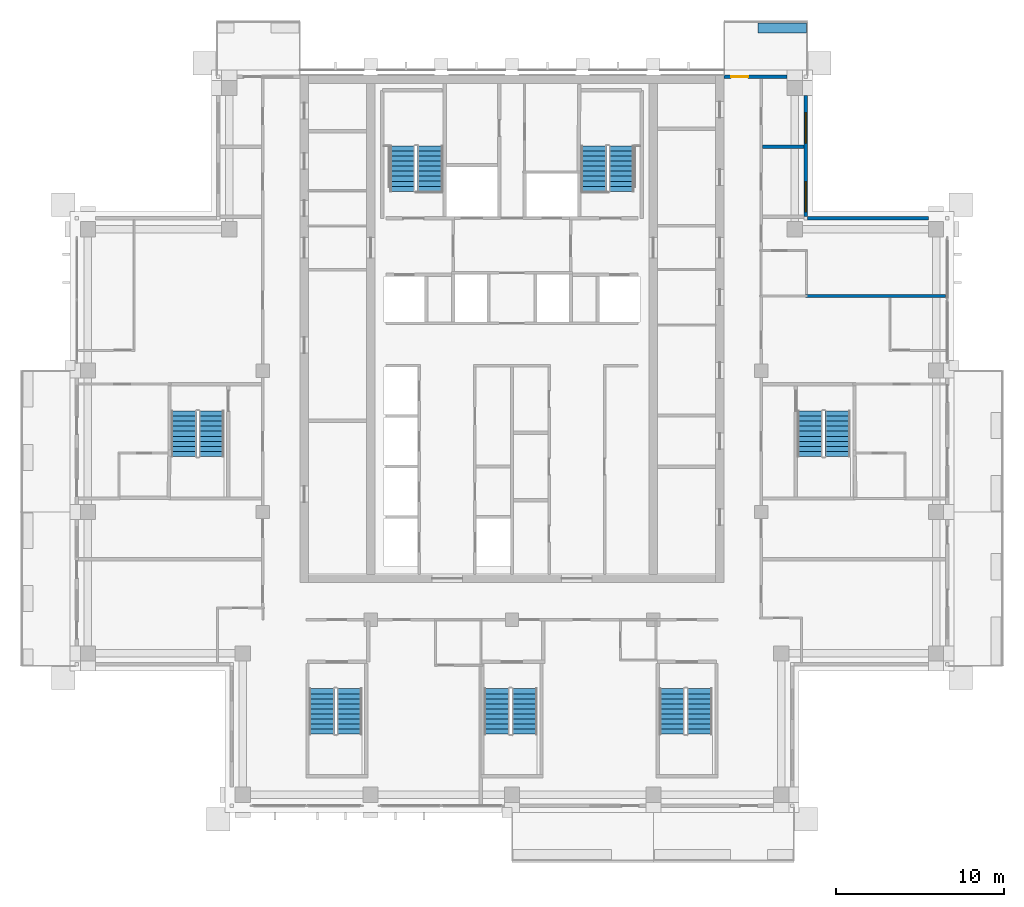
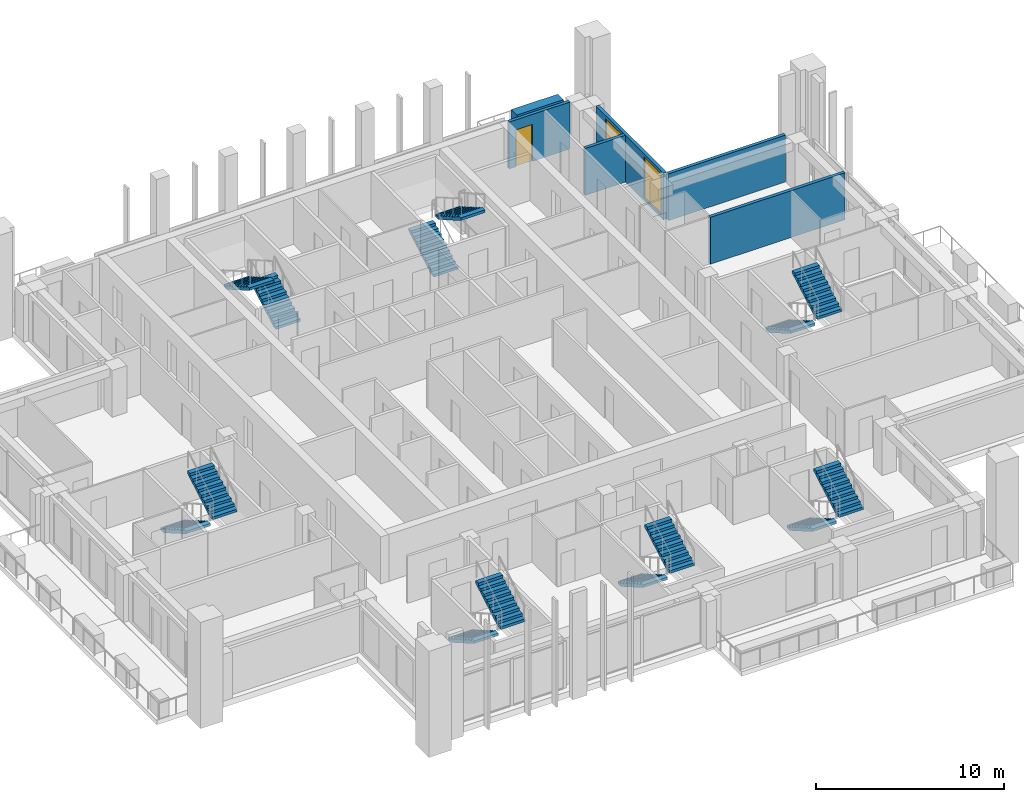
# One storey, part 14 of 18: 14 stair flights, 6 walls, 2 windows, 1 door, 3 openings, 7 elements without a shape of their own.
"""IFC4 building model written with IfcOpenShell, lengths in metres."""

from ifc_helpers import new_model, si_unit, direction, frame, frame_2d, origin, place, context, subcontext, project, spatial, polyline, rectangle, outline, extrude, material, layer, layer_set, type_object, element, fill, aggregate, save


model = new_model("IFC4")

# Units and contexts
model_context = context("Model", 3, precision=1e-05, world=origin(), true_north=direction((0.0, 1.0)))
body_context = subcontext(model_context, "Body", "Model", "MODEL_VIEW")
ifc_project = project(units=[si_unit("LENGTHUNIT", "METRE"), si_unit("AREAUNIT", "SQUARE_METRE"), si_unit("VOLUMEUNIT", "CUBIC_METRE"), si_unit("PLANEANGLEUNIT", "RADIAN"), si_unit("MASSUNIT", "GRAM", prefix="KILO")], contexts=[model_context])

# Site, building, storey
site_placement = place(None, origin())
site = spatial("IfcSite", under=ifc_project, at=site_placement, CompositionType="ELEMENT")
building_placement = place(site_placement, origin())
building = spatial("IfcBuilding", under=site, at=building_placement, Name="Vermilion Ogive Tower", CompositionType="ELEMENT")
storey_placement = place(building_placement, frame((0.0, 0.0, 240.699951171875)))
storey = spatial("IfcBuildingStorey", under=building, at=storey_placement, Name="L63", CompositionType="ELEMENT", Elevation=240.699951171875)

# Walls
ifc_material_1 = material(Name="Gypsum board partition on steel studs", Category="steel")
ifc_layer_1 = layer(ifc_material_1, 0.199951171875)
ifc_layer_set_1 = layer_set([ifc_layer_1], Name="Partition 200 party")
wall_type_1 = type_object("IfcWallType", Name="Partition 200 party", PredefinedType="PARTITIONING", material=ifc_layer_set_1)
wall_1_placement = place(storey_placement, frame((17.449951171875, 8.6298828125, 0.0), z_axis=(0.0, 0.0, 1.0), x_axis=(1.0, 0.0, 0.0)))
element("IfcWall", 1, at=wall_1_placement, inside=storey, type_object=wall_type_1, Name="L63-W-W031", PredefinedType="PARTITIONING", context=body_context, shape_type="SweptSolid", body=[
    extrude(rectangle(XDim=8.300048828125, YDim=0.199951171875, at=frame_2d((4.14990234375, 0.0))), origin(), (0.0, 0.0, 1.0), 3.050048828125),
])
wall_2_placement = place(storey_placement, frame((14.875, 17.5, 0.0), z_axis=(0.0, 0.0, 1.0), x_axis=(1.0, 0.0, 0.0)))
element("IfcWall", 2, at=wall_2_placement, inside=storey, type_object=wall_type_1, Name="L63-W-W036", PredefinedType="PARTITIONING", context=body_context, shape_type="SweptSolid", body=[
    extrude(rectangle(XDim=2.47509765625, YDim=0.199951171875, at=frame_2d((1.237548828125, 0.0))), origin(), (0.0, 0.0, 1.0), 3.050048828125),
])
ifc_material_2 = material(Name="Concrete B40", Category="concrete")
ifc_layer_2 = layer(ifc_material_2, 0.60009765625)
ifc_layer_set_2 = layer_set([ifc_layer_2], Name="Structural planter")
wall_type_2 = type_object("IfcWallType", Name="Structural planter", PredefinedType="USERDEFINED", material=ifc_layer_set_2)
wall_3_placement = place(storey_placement, frame((17.489990234375, 24.550048828125, -0.0400390625), z_axis=(0.0, 0.0, 1.0), x_axis=(-1.0, 0.0, 0.0)))
element("IfcWall", 3, at=wall_3_placement, inside=storey, type_object=wall_type_2, Name="Planter N101A1", ObjectType="PLANTER", PredefinedType="USERDEFINED", context=body_context, shape_type="SweptSolid", body=[
    extrude(rectangle(XDim=2.864990234375, YDim=0.60009765625, at=frame_2d((1.4326171875, 0.0))), origin(), (0.0, 0.0, 1.0), 1.2001953125),
])
ifc_material_3 = material(Name="Aluminium window wall framing", Category="aluminium")
ifc_layer_3 = layer(ifc_material_3, 0.199951171875)
ifc_layer_set_3 = layer_set([ifc_layer_3], Name="Window wall")
wall_type_3 = type_object("IfcWallType", Name="Window wall", PredefinedType="STANDARD", material=ifc_layer_set_3)
wall_4_placement = place(storey_placement, frame((24.75, 13.25, 0.0), z_axis=(0.0, 0.0, 1.0), x_axis=(-1.0, 0.0, 0.0)))
element("IfcWall", 4, at=wall_4_placement, inside=storey, type_object=wall_type_3, Name="Window wall X31", PredefinedType="STANDARD", context=body_context, shape_type="SweptSolid", body=[
    extrude(rectangle(XDim=7.199951171875, YDim=0.199951171875, at=frame_2d((3.60009765625, 0.0))), origin(), (0.0, 0.0, 1.0), 3.050048828125),
])

# Wall, openings, windows
wall_5_placement = place(storey_placement, frame((17.449951171875, 13.35009765625, 0.0), z_axis=(0.0, 0.0, 1.0), x_axis=(0.0, 1.0, 0.0)))
wall_5 = element("IfcWall", 5, at=wall_5_placement, inside=storey, type_object=wall_type_3, Name="Window wall X41", PredefinedType="STANDARD", context=body_context, shape_type="SweptSolid", body=[
    extrude(rectangle(XDim=7.199951171875, YDim=0.199951171875, at=frame_2d((3.60009765625, 0.0))), origin(), (0.0, 0.0, 1.0), 3.050048828125),
])
opening_1_placement = place(wall_5_placement, frame((0.27490234375, 0.0, 0.199951171875)))
opening_1 = element("IfcOpeningElement", 6, at=opening_1_placement, cuts=wall_5, Name="Opening W1-X403", PredefinedType="OPENING", context=body_context, shape_type="SweptSolid", body=[
    extrude(rectangle(XDim=1.800048828125, YDim=2.64990234375, at=frame_2d((0.89990234375, 1.324951171875))), frame((0.0, 0.10986328125, 0.0), z_axis=(0.0, -1.0, 0.0), x_axis=(1.0, 0.0, 0.0)), (0.0, 0.0, 1.0), 0.219970703125),
])
opening_2_placement = place(wall_5_placement, frame((4.3701171875, 0.0, 0.199951171875)))
opening_2 = element("IfcOpeningElement", 7, at=opening_2_placement, cuts=wall_5, Name="Opening W1-X404", PredefinedType="OPENING", context=body_context, shape_type="SweptSolid", body=[
    extrude(rectangle(XDim=1.800048828125, YDim=2.64990234375, at=frame_2d((0.89990234375, 1.324951171875))), frame((0.0, 0.10986328125, 0.0), z_axis=(0.0, -1.0, 0.0), x_axis=(1.0, 0.0, 0.0)), (0.0, 0.0, 1.0), 0.219970703125),
])
ifc_material_4 = material(Name="Aluminium framed double glazing", Category="aluminium")
window_type = type_object("IfcWindowType", Name="Guest window W1", PartitioningType="SINGLE_PANEL", PredefinedType="WINDOW", material=ifc_material_4)
window_1_placement = place(opening_1_placement, origin())
window_1 = element("IfcWindow", 8, at=window_1_placement, inside=storey, type_object=window_type, Name="Window X403", OverallHeight=2.64990234375, OverallWidth=1.800048828125, PartitioningType="SINGLE_PANEL", PredefinedType="WINDOW", context=body_context, shape_type="SweptSolid", body=[
    extrude(rectangle(XDim=1.800048828125, YDim=2.64990234375, at=frame_2d((0.89990234375, 1.324951171875))), frame((0.0, 0.030029296875, 0.0), z_axis=(0.0, -1.0, 0.0), x_axis=(1.0, 0.0, 0.0)), (0.0, 0.0, 1.0), 0.06005859375),
])
fill(opening_1, window_1)
window_2_placement = place(opening_2_placement, origin())
window_2 = element("IfcWindow", 9, at=window_2_placement, inside=storey, type_object=window_type, Name="Window X404", OverallHeight=2.64990234375, OverallWidth=1.800048828125, PartitioningType="SINGLE_PANEL", PredefinedType="WINDOW", context=body_context, shape_type="SweptSolid", body=[
    extrude(rectangle(XDim=1.800048828125, YDim=2.64990234375, at=frame_2d((0.89990234375, 1.324951171875))), frame((0.0, 0.030029296875, 0.0), z_axis=(0.0, -1.0, 0.0), x_axis=(1.0, 0.0, 0.0)), (0.0, 0.0, 1.0), 0.06005859375),
])
fill(opening_2, window_2)

# Wall, opening, door
wall_6_placement = place(storey_placement, frame((16.35009765625, 21.64990234375, 0.0), z_axis=(0.0, 0.0, 1.0), x_axis=(-1.0, 0.0, 0.0)))
wall_6 = element("IfcWall", 10, at=wall_6_placement, inside=storey, type_object=wall_type_3, Name="Window wall N11", PredefinedType="STANDARD", context=body_context, shape_type="SweptSolid", body=[
    extrude(rectangle(XDim=3.75, YDim=0.199951171875, at=frame_2d((1.875, 0.0))), origin(), (0.0, 0.0, 1.0), 3.050048828125),
])
opening_3_placement = place(wall_6_placement, frame((2.324951171875, 0.0, 0.0)))
opening_3 = element("IfcOpeningElement", 11, at=opening_3_placement, cuts=wall_6, Name="Opening D1-N103", PredefinedType="OPENING", context=body_context, shape_type="SweptSolid", body=[
    extrude(rectangle(XDim=1.0, YDim=2.39990234375, at=frame_2d((0.5, 1.199951171875))), frame((0.0, 0.10986328125, 0.0), z_axis=(0.0, -1.0, 0.0), x_axis=(1.0, 0.0, 0.0)), (0.0, 0.0, 1.0), 0.219970703125),
])
ifc_material_5 = material(Name="Aluminium framed glazed door", Category="aluminium")
door_type = type_object("IfcDoorType", Name="Balcony door D1", OperationType="SINGLE_SWING_LEFT", PredefinedType="DOOR", material=ifc_material_5)
door_placement = place(opening_3_placement, origin())
door = element("IfcDoor", 12, at=door_placement, inside=storey, type_object=door_type, Name="Balcony door N103", OperationType="SINGLE_SWING_LEFT", OverallHeight=2.39990234375, OverallWidth=1.0, PredefinedType="DOOR", context=body_context, shape_type="SweptSolid", body=[
    extrude(rectangle(XDim=1.0, YDim=2.39990234375, at=frame_2d((0.5, 1.199951171875))), frame((0.0, 0.02490234375, 0.0), z_axis=(0.0, -1.0, 0.0), x_axis=(1.0, 0.0, 0.0)), (0.0, 0.0, 1.0), 0.050048828125),
])
fill(opening_3, door)

# Stair, stair flights
ifc_material_6 = material(Name="Concrete B40", Category="concrete")
stair_type = type_object("IfcStairType", Name="Exit stair 1500", PredefinedType="HALF_TURN_STAIR", material=ifc_material_6)
stair_1_placement = place(storey_placement, origin())
stair_1 = element("IfcStair", 13, at=stair_1_placement, inside=storey, type_object=stair_type, Name="L63 Exit Stair ST1", PredefinedType="HALF_TURN_STAIR")
ifc_material_7 = material(Name="Concrete B40", Category="concrete")
stair_flight_type = type_object("IfcStairFlightType", Name="Stair flight 1500", PredefinedType="STRAIGHT", material=ifc_material_7)
stair_flight_1_placement = place(storey_placement, frame((-4.85009765625, 14.85009765625, 0.0), z_axis=(0.0, 0.0, 1.0), x_axis=(0.0, 1.0, 0.0)))
stair_flight_1 = element("IfcStairFlight", 14, at=stair_flight_1_placement, type_object=stair_flight_type, Name="ST1 flight 1", NumberOfRisers=10, NumberOfTreads=9, PredefinedType="STRAIGHT", RiserHeight=0.1725, TreadLength=0.3, context=body_context, shape_type="SweptSolid", body=[
    extrude(outline(polyline([(0.0, 0.0), (0.0, 0.172607421875), (0.300048828125, 0.172607421875), (0.300048828125, 0.344970703125), (0.60009765625, 0.344970703125), (0.60009765625, 0.517578125), (0.89990234375, 0.517578125), (0.89990234375, 0.68994140625), (1.199951171875, 0.68994140625), (1.199951171875, 0.862548828125), (1.5, 0.862548828125), (1.5, 1.034912109375), (1.800048828125, 1.034912109375), (1.800048828125, 1.20751953125), (2.10009765625, 1.20751953125), (2.10009765625, 1.3798828125), (2.39990234375, 1.3798828125), (2.39990234375, 1.552490234375), (2.699951171875, 1.552490234375), (2.699951171875, 1.72509765625), (2.699951171875, 1.379638671875), (0.30078125, 0.0), (0.0, 0.0)])), frame((0.0, 0.75, 0.0), z_axis=(0.0, -1.0, 0.0), x_axis=(1.0, 0.0, 0.0)), (0.0, 0.0, 1.0), 1.5),
])
stair_flight_2_placement = place(storey_placement, frame((-6.5, 17.550048828125, 1.72509765625), z_axis=(0.0, 0.0, 1.0), x_axis=(0.0, -1.0, 0.0)))
stair_flight_2 = element("IfcStairFlight", 15, at=stair_flight_2_placement, type_object=stair_flight_type, Name="ST1 flight 2", NumberOfRisers=10, NumberOfTreads=9, PredefinedType="STRAIGHT", RiserHeight=0.1725, TreadLength=0.3, context=body_context, shape_type="SweptSolid", body=[
    extrude(outline(polyline([(0.0, 0.0), (0.0, 0.172607421875), (0.300048828125, 0.172607421875), (0.300048828125, 0.344970703125), (0.60009765625, 0.344970703125), (0.60009765625, 0.517578125), (0.89990234375, 0.517578125), (0.89990234375, 0.68994140625), (1.199951171875, 0.68994140625), (1.199951171875, 0.862548828125), (1.5, 0.862548828125), (1.5, 1.034912109375), (1.800048828125, 1.034912109375), (1.800048828125, 1.20751953125), (2.10009765625, 1.20751953125), (2.10009765625, 1.3798828125), (2.39990234375, 1.3798828125), (2.39990234375, 1.552490234375), (2.699951171875, 1.552490234375), (2.699951171875, 1.72509765625), (2.699951171875, 1.379638671875), (0.30078125, 0.0), (0.0, 0.0)])), frame((0.0, 0.75, 0.0), z_axis=(0.0, -1.0, 0.0), x_axis=(1.0, 0.0, 0.0)), (0.0, 0.0, 1.0), 1.5),
])
aggregate(stair_1, [stair_flight_1, stair_flight_2])

stair_2_placement = place(storey_placement, origin())
stair_2 = element("IfcStair", 16, at=stair_2_placement, inside=storey, type_object=stair_type, Name="L63 Exit Stair ST2", PredefinedType="HALF_TURN_STAIR")
stair_flight_3_placement = place(storey_placement, frame((4.85009765625, 14.85009765625, 0.0), z_axis=(0.0, 0.0, 1.0), x_axis=(0.0, 1.0, 0.0)))
stair_flight_3 = element("IfcStairFlight", 17, at=stair_flight_3_placement, type_object=stair_flight_type, Name="ST2 flight 1", NumberOfRisers=10, NumberOfTreads=9, PredefinedType="STRAIGHT", RiserHeight=0.1725, TreadLength=0.3, context=body_context, shape_type="SweptSolid", body=[
    extrude(outline(polyline([(0.0, 0.0), (0.0, 0.172607421875), (0.300048828125, 0.172607421875), (0.300048828125, 0.344970703125), (0.60009765625, 0.344970703125), (0.60009765625, 0.517578125), (0.89990234375, 0.517578125), (0.89990234375, 0.68994140625), (1.199951171875, 0.68994140625), (1.199951171875, 0.862548828125), (1.5, 0.862548828125), (1.5, 1.034912109375), (1.800048828125, 1.034912109375), (1.800048828125, 1.20751953125), (2.10009765625, 1.20751953125), (2.10009765625, 1.3798828125), (2.39990234375, 1.3798828125), (2.39990234375, 1.552490234375), (2.699951171875, 1.552490234375), (2.699951171875, 1.72509765625), (2.699951171875, 1.379638671875), (0.30078125, 0.0), (0.0, 0.0)])), frame((0.0, 0.75, 0.0), z_axis=(0.0, -1.0, 0.0), x_axis=(1.0, 0.0, 0.0)), (0.0, 0.0, 1.0), 1.5),
])
stair_flight_4_placement = place(storey_placement, frame((6.5, 17.550048828125, 1.72509765625), z_axis=(0.0, 0.0, 1.0), x_axis=(0.0, -1.0, 0.0)))
stair_flight_4 = element("IfcStairFlight", 18, at=stair_flight_4_placement, type_object=stair_flight_type, Name="ST2 flight 2", NumberOfRisers=10, NumberOfTreads=9, PredefinedType="STRAIGHT", RiserHeight=0.1725, TreadLength=0.3, context=body_context, shape_type="SweptSolid", body=[
    extrude(outline(polyline([(0.0, 0.0), (0.0, 0.172607421875), (0.300048828125, 0.172607421875), (0.300048828125, 0.344970703125), (0.60009765625, 0.344970703125), (0.60009765625, 0.517578125), (0.89990234375, 0.517578125), (0.89990234375, 0.68994140625), (1.199951171875, 0.68994140625), (1.199951171875, 0.862548828125), (1.5, 0.862548828125), (1.5, 1.034912109375), (1.800048828125, 1.034912109375), (1.800048828125, 1.20751953125), (2.10009765625, 1.20751953125), (2.10009765625, 1.3798828125), (2.39990234375, 1.3798828125), (2.39990234375, 1.552490234375), (2.699951171875, 1.552490234375), (2.699951171875, 1.72509765625), (2.699951171875, 1.379638671875), (0.30078125, 0.0), (0.0, 0.0)])), frame((0.0, 0.75, 0.0), z_axis=(0.0, -1.0, 0.0), x_axis=(1.0, 0.0, 0.0)), (0.0, 0.0, 1.0), 1.5),
])
aggregate(stair_2, [stair_flight_3, stair_flight_4])

stair_3_placement = place(storey_placement, origin())
stair_3 = element("IfcStair", 19, at=stair_3_placement, inside=storey, type_object=stair_type, Name="L63 Exit Stair ST3", PredefinedType="HALF_TURN_STAIR")
stair_flight_5_placement = place(storey_placement, frame((-11.300048828125, -14.699951171875, 0.0), z_axis=(0.0, 0.0, 1.0), x_axis=(0.0, -1.0, 0.0)))
stair_flight_5 = element("IfcStairFlight", 20, at=stair_flight_5_placement, type_object=stair_flight_type, Name="ST3 flight 1", NumberOfRisers=10, NumberOfTreads=9, PredefinedType="STRAIGHT", RiserHeight=0.1725, TreadLength=0.3, context=body_context, shape_type="SweptSolid", body=[
    extrude(outline(polyline([(0.0, 0.0), (0.0, 0.172607421875), (0.300048828125, 0.172607421875), (0.300048828125, 0.344970703125), (0.60009765625, 0.344970703125), (0.60009765625, 0.517578125), (0.89990234375, 0.517578125), (0.89990234375, 0.68994140625), (1.199951171875, 0.68994140625), (1.199951171875, 0.862548828125), (1.5, 0.862548828125), (1.5, 1.034912109375), (1.800048828125, 1.034912109375), (1.800048828125, 1.20751953125), (2.10009765625, 1.20751953125), (2.10009765625, 1.3798828125), (2.39990234375, 1.3798828125), (2.39990234375, 1.552490234375), (2.699951171875, 1.552490234375), (2.699951171875, 1.72509765625), (2.699951171875, 1.379638671875), (0.30078125, 0.0), (0.0, 0.0)])), frame((0.0, 0.75, 0.0), z_axis=(0.0, -1.0, 0.0), x_axis=(1.0, 0.0, 0.0)), (0.0, 0.0, 1.0), 1.5),
])
stair_flight_6_placement = place(storey_placement, frame((-9.64990234375, -17.39990234375, 1.72509765625), z_axis=(0.0, 0.0, 1.0), x_axis=(0.0, 1.0, 0.0)))
stair_flight_6 = element("IfcStairFlight", 21, at=stair_flight_6_placement, type_object=stair_flight_type, Name="ST3 flight 2", NumberOfRisers=10, NumberOfTreads=9, PredefinedType="STRAIGHT", RiserHeight=0.1725, TreadLength=0.3, context=body_context, shape_type="SweptSolid", body=[
    extrude(outline(polyline([(0.0, 0.0), (0.0, 0.172607421875), (0.300048828125, 0.172607421875), (0.300048828125, 0.344970703125), (0.60009765625, 0.344970703125), (0.60009765625, 0.517578125), (0.89990234375, 0.517578125), (0.89990234375, 0.68994140625), (1.199951171875, 0.68994140625), (1.199951171875, 0.862548828125), (1.5, 0.862548828125), (1.5, 1.034912109375), (1.800048828125, 1.034912109375), (1.800048828125, 1.20751953125), (2.10009765625, 1.20751953125), (2.10009765625, 1.3798828125), (2.39990234375, 1.3798828125), (2.39990234375, 1.552490234375), (2.699951171875, 1.552490234375), (2.699951171875, 1.72509765625), (2.699951171875, 1.379638671875), (0.30078125, 0.0), (0.0, 0.0)])), frame((0.0, 0.75, 0.0), z_axis=(0.0, -1.0, 0.0), x_axis=(1.0, 0.0, 0.0)), (0.0, 0.0, 1.0), 1.5),
])
aggregate(stair_3, [stair_flight_5, stair_flight_6])

stair_4_placement = place(storey_placement, origin())
stair_4 = element("IfcStair", 22, at=stair_4_placement, inside=storey, type_object=stair_type, Name="L63 Exit Stair ST4", PredefinedType="HALF_TURN_STAIR")
stair_flight_7_placement = place(storey_placement, frame((-0.89990234375, -14.699951171875, 0.0), z_axis=(0.0, 0.0, 1.0), x_axis=(0.0, -1.0, 0.0)))
stair_flight_7 = element("IfcStairFlight", 23, at=stair_flight_7_placement, type_object=stair_flight_type, Name="ST4 flight 1", NumberOfRisers=10, NumberOfTreads=9, PredefinedType="STRAIGHT", RiserHeight=0.1725, TreadLength=0.3, context=body_context, shape_type="SweptSolid", body=[
    extrude(outline(polyline([(0.0, 0.0), (0.0, 0.172607421875), (0.300048828125, 0.172607421875), (0.300048828125, 0.344970703125), (0.60009765625, 0.344970703125), (0.60009765625, 0.517578125), (0.89990234375, 0.517578125), (0.89990234375, 0.68994140625), (1.199951171875, 0.68994140625), (1.199951171875, 0.862548828125), (1.5, 0.862548828125), (1.5, 1.034912109375), (1.800048828125, 1.034912109375), (1.800048828125, 1.20751953125), (2.10009765625, 1.20751953125), (2.10009765625, 1.3798828125), (2.39990234375, 1.3798828125), (2.39990234375, 1.552490234375), (2.699951171875, 1.552490234375), (2.699951171875, 1.72509765625), (2.699951171875, 1.379638671875), (0.30078125, 0.0), (0.0, 0.0)])), frame((0.0, 0.75, 0.0), z_axis=(0.0, -1.0, 0.0), x_axis=(1.0, 0.0, 0.0)), (0.0, 0.0, 1.0), 1.5),
])
stair_flight_8_placement = place(storey_placement, frame((0.75, -17.39990234375, 1.72509765625), z_axis=(0.0, 0.0, 1.0), x_axis=(0.0, 1.0, 0.0)))
stair_flight_8 = element("IfcStairFlight", 24, at=stair_flight_8_placement, type_object=stair_flight_type, Name="ST4 flight 2", NumberOfRisers=10, NumberOfTreads=9, PredefinedType="STRAIGHT", RiserHeight=0.1725, TreadLength=0.3, context=body_context, shape_type="SweptSolid", body=[
    extrude(outline(polyline([(0.0, 0.0), (0.0, 0.172607421875), (0.300048828125, 0.172607421875), (0.300048828125, 0.344970703125), (0.60009765625, 0.344970703125), (0.60009765625, 0.517578125), (0.89990234375, 0.517578125), (0.89990234375, 0.68994140625), (1.199951171875, 0.68994140625), (1.199951171875, 0.862548828125), (1.5, 0.862548828125), (1.5, 1.034912109375), (1.800048828125, 1.034912109375), (1.800048828125, 1.20751953125), (2.10009765625, 1.20751953125), (2.10009765625, 1.3798828125), (2.39990234375, 1.3798828125), (2.39990234375, 1.552490234375), (2.699951171875, 1.552490234375), (2.699951171875, 1.72509765625), (2.699951171875, 1.379638671875), (0.30078125, 0.0), (0.0, 0.0)])), frame((0.0, 0.75, 0.0), z_axis=(0.0, -1.0, 0.0), x_axis=(1.0, 0.0, 0.0)), (0.0, 0.0, 1.0), 1.5),
])
aggregate(stair_4, [stair_flight_7, stair_flight_8])

stair_5_placement = place(storey_placement, origin())
stair_5 = element("IfcStair", 25, at=stair_5_placement, inside=storey, type_object=stair_type, Name="L63 Exit Stair ST5", PredefinedType="HALF_TURN_STAIR")
stair_flight_9_placement = place(storey_placement, frame((9.5, -14.699951171875, 0.0), z_axis=(0.0, 0.0, 1.0), x_axis=(0.0, -1.0, 0.0)))
stair_flight_9 = element("IfcStairFlight", 26, at=stair_flight_9_placement, type_object=stair_flight_type, Name="ST5 flight 1", NumberOfRisers=10, NumberOfTreads=9, PredefinedType="STRAIGHT", RiserHeight=0.1725, TreadLength=0.3, context=body_context, shape_type="SweptSolid", body=[
    extrude(outline(polyline([(0.0, 0.0), (0.0, 0.172607421875), (0.300048828125, 0.172607421875), (0.300048828125, 0.344970703125), (0.60009765625, 0.344970703125), (0.60009765625, 0.517578125), (0.89990234375, 0.517578125), (0.89990234375, 0.68994140625), (1.199951171875, 0.68994140625), (1.199951171875, 0.862548828125), (1.5, 0.862548828125), (1.5, 1.034912109375), (1.800048828125, 1.034912109375), (1.800048828125, 1.20751953125), (2.10009765625, 1.20751953125), (2.10009765625, 1.3798828125), (2.39990234375, 1.3798828125), (2.39990234375, 1.552490234375), (2.699951171875, 1.552490234375), (2.699951171875, 1.72509765625), (2.699951171875, 1.379638671875), (0.30078125, 0.0), (0.0, 0.0)])), frame((0.0, 0.75, 0.0), z_axis=(0.0, -1.0, 0.0), x_axis=(1.0, 0.0, 0.0)), (0.0, 0.0, 1.0), 1.5),
])
stair_flight_10_placement = place(storey_placement, frame((11.14990234375, -17.39990234375, 1.72509765625), z_axis=(0.0, 0.0, 1.0), x_axis=(0.0, 1.0, 0.0)))
stair_flight_10 = element("IfcStairFlight", 27, at=stair_flight_10_placement, type_object=stair_flight_type, Name="ST5 flight 2", NumberOfRisers=10, NumberOfTreads=9, PredefinedType="STRAIGHT", RiserHeight=0.1725, TreadLength=0.3, context=body_context, shape_type="SweptSolid", body=[
    extrude(outline(polyline([(0.0, 0.0), (0.0, 0.172607421875), (0.300048828125, 0.172607421875), (0.300048828125, 0.344970703125), (0.60009765625, 0.344970703125), (0.60009765625, 0.517578125), (0.89990234375, 0.517578125), (0.89990234375, 0.68994140625), (1.199951171875, 0.68994140625), (1.199951171875, 0.862548828125), (1.5, 0.862548828125), (1.5, 1.034912109375), (1.800048828125, 1.034912109375), (1.800048828125, 1.20751953125), (2.10009765625, 1.20751953125), (2.10009765625, 1.3798828125), (2.39990234375, 1.3798828125), (2.39990234375, 1.552490234375), (2.699951171875, 1.552490234375), (2.699951171875, 1.72509765625), (2.699951171875, 1.379638671875), (0.30078125, 0.0), (0.0, 0.0)])), frame((0.0, 0.75, 0.0), z_axis=(0.0, -1.0, 0.0), x_axis=(1.0, 0.0, 0.0)), (0.0, 0.0, 1.0), 1.5),
])
aggregate(stair_5, [stair_flight_9, stair_flight_10])

stair_6_placement = place(storey_placement, origin())
stair_6 = element("IfcStair", 28, at=stair_6_placement, inside=storey, type_object=stair_type, Name="L63 Exit Stair ST8", PredefinedType="HALF_TURN_STAIR")
stair_flight_11_placement = place(storey_placement, frame((17.699951171875, 1.800048828125, 0.0), z_axis=(0.0, 0.0, 1.0), x_axis=(0.0, -1.0, 0.0)))
stair_flight_11 = element("IfcStairFlight", 29, at=stair_flight_11_placement, type_object=stair_flight_type, Name="ST8 flight 1", NumberOfRisers=10, NumberOfTreads=9, PredefinedType="STRAIGHT", RiserHeight=0.1725, TreadLength=0.3, context=body_context, shape_type="SweptSolid", body=[
    extrude(outline(polyline([(0.0, 0.0), (0.0, 0.172607421875), (0.300048828125, 0.172607421875), (0.300048828125, 0.344970703125), (0.60009765625, 0.344970703125), (0.60009765625, 0.517578125), (0.89990234375, 0.517578125), (0.89990234375, 0.68994140625), (1.199951171875, 0.68994140625), (1.199951171875, 0.862548828125), (1.5, 0.862548828125), (1.5, 1.034912109375), (1.800048828125, 1.034912109375), (1.800048828125, 1.20751953125), (2.10009765625, 1.20751953125), (2.10009765625, 1.3798828125), (2.39990234375, 1.3798828125), (2.39990234375, 1.552490234375), (2.699951171875, 1.552490234375), (2.699951171875, 1.72509765625), (2.699951171875, 1.379638671875), (0.30078125, 0.0), (0.0, 0.0)])), frame((0.0, 0.75, 0.0), z_axis=(0.0, -1.0, 0.0), x_axis=(1.0, 0.0, 0.0)), (0.0, 0.0, 1.0), 1.5),
])
stair_flight_12_placement = place(storey_placement, frame((19.35009765625, -0.89990234375, 1.72509765625), z_axis=(0.0, 0.0, 1.0), x_axis=(0.0, 1.0, 0.0)))
stair_flight_12 = element("IfcStairFlight", 30, at=stair_flight_12_placement, type_object=stair_flight_type, Name="ST8 flight 2", NumberOfRisers=10, NumberOfTreads=9, PredefinedType="STRAIGHT", RiserHeight=0.1725, TreadLength=0.3, context=body_context, shape_type="SweptSolid", body=[
    extrude(outline(polyline([(0.0, 0.0), (0.0, 0.172607421875), (0.300048828125, 0.172607421875), (0.300048828125, 0.344970703125), (0.60009765625, 0.344970703125), (0.60009765625, 0.517578125), (0.89990234375, 0.517578125), (0.89990234375, 0.68994140625), (1.199951171875, 0.68994140625), (1.199951171875, 0.862548828125), (1.5, 0.862548828125), (1.5, 1.034912109375), (1.800048828125, 1.034912109375), (1.800048828125, 1.20751953125), (2.10009765625, 1.20751953125), (2.10009765625, 1.3798828125), (2.39990234375, 1.3798828125), (2.39990234375, 1.552490234375), (2.699951171875, 1.552490234375), (2.699951171875, 1.72509765625), (2.699951171875, 1.379638671875), (0.30078125, 0.0), (0.0, 0.0)])), frame((0.0, 0.75, 0.0), z_axis=(0.0, -1.0, 0.0), x_axis=(1.0, 0.0, 0.0)), (0.0, 0.0, 1.0), 1.5),
])
aggregate(stair_6, [stair_flight_11, stair_flight_12])

stair_7_placement = place(storey_placement, origin())
stair_7 = element("IfcStair", 31, at=stair_7_placement, inside=storey, type_object=stair_type, Name="L63 Exit Stair ST9", PredefinedType="HALF_TURN_STAIR")
stair_flight_13_placement = place(storey_placement, frame((-19.5, 1.800048828125, 0.0), z_axis=(0.0, 0.0, 1.0), x_axis=(0.0, -1.0, 0.0)))
stair_flight_13 = element("IfcStairFlight", 32, at=stair_flight_13_placement, type_object=stair_flight_type, Name="ST9 flight 1", NumberOfRisers=10, NumberOfTreads=9, PredefinedType="STRAIGHT", RiserHeight=0.1725, TreadLength=0.3, context=body_context, shape_type="SweptSolid", body=[
    extrude(outline(polyline([(0.0, 0.0), (0.0, 0.172607421875), (0.300048828125, 0.172607421875), (0.300048828125, 0.344970703125), (0.60009765625, 0.344970703125), (0.60009765625, 0.517578125), (0.89990234375, 0.517578125), (0.89990234375, 0.68994140625), (1.199951171875, 0.68994140625), (1.199951171875, 0.862548828125), (1.5, 0.862548828125), (1.5, 1.034912109375), (1.800048828125, 1.034912109375), (1.800048828125, 1.20751953125), (2.10009765625, 1.20751953125), (2.10009765625, 1.3798828125), (2.39990234375, 1.3798828125), (2.39990234375, 1.552490234375), (2.699951171875, 1.552490234375), (2.699951171875, 1.72509765625), (2.699951171875, 1.379638671875), (0.30078125, 0.0), (0.0, 0.0)])), frame((0.0, 0.75, 0.0), z_axis=(0.0, -1.0, 0.0), x_axis=(1.0, 0.0, 0.0)), (0.0, 0.0, 1.0), 1.5),
])
stair_flight_14_placement = place(storey_placement, frame((-17.85009765625, -0.89990234375, 1.72509765625), z_axis=(0.0, 0.0, 1.0), x_axis=(0.0, 1.0, 0.0)))
stair_flight_14 = element("IfcStairFlight", 33, at=stair_flight_14_placement, type_object=stair_flight_type, Name="ST9 flight 2", NumberOfRisers=10, NumberOfTreads=9, PredefinedType="STRAIGHT", RiserHeight=0.1725, TreadLength=0.3, context=body_context, shape_type="SweptSolid", body=[
    extrude(outline(polyline([(0.0, 0.0), (0.0, 0.172607421875), (0.300048828125, 0.172607421875), (0.300048828125, 0.344970703125), (0.60009765625, 0.344970703125), (0.60009765625, 0.517578125), (0.89990234375, 0.517578125), (0.89990234375, 0.68994140625), (1.199951171875, 0.68994140625), (1.199951171875, 0.862548828125), (1.5, 0.862548828125), (1.5, 1.034912109375), (1.800048828125, 1.034912109375), (1.800048828125, 1.20751953125), (2.10009765625, 1.20751953125), (2.10009765625, 1.3798828125), (2.39990234375, 1.3798828125), (2.39990234375, 1.552490234375), (2.699951171875, 1.552490234375), (2.699951171875, 1.72509765625), (2.699951171875, 1.379638671875), (0.30078125, 0.0), (0.0, 0.0)])), frame((0.0, 0.75, 0.0), z_axis=(0.0, -1.0, 0.0), x_axis=(1.0, 0.0, 0.0)), (0.0, 0.0, 1.0), 1.5),
])
aggregate(stair_7, [stair_flight_13, stair_flight_14])

save(model, "model.ifc")
